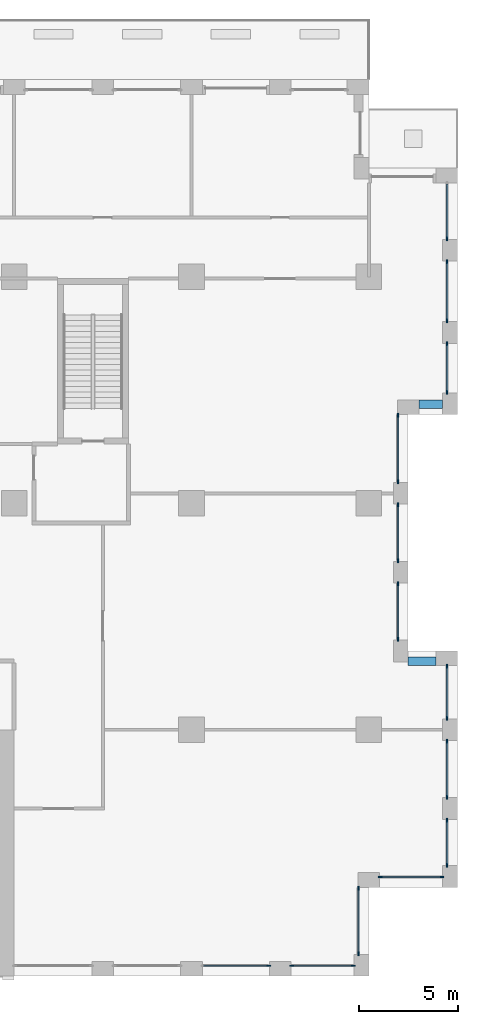
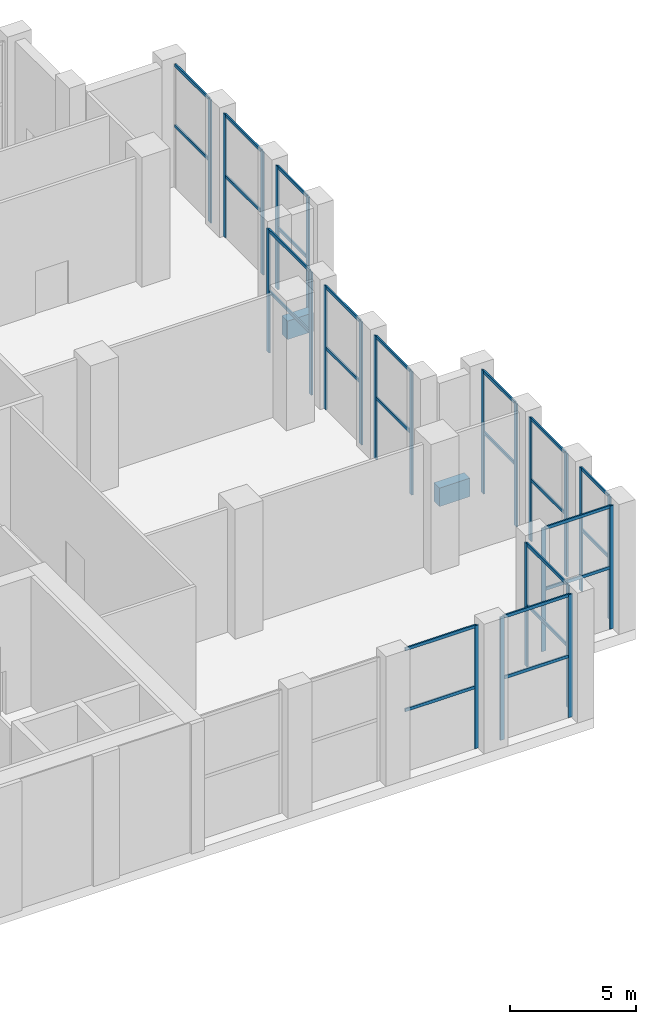
# One storey, part 9 of 21: 50 members, 2 beams, 13 elements without a shape of their own.
"""IFC4 building model written with IfcOpenShell, lengths in metres."""

import ifcopenshell
import ifcopenshell.guid

model = None  # the IFC model being written
_history = None  # IfcOwnerHistory: only IFC2X3 demands one
_inside = {}  # id of a spatial element -> (the spatial element, [elements in it])
_under = {}  # id of a project, library or spatial element -> (it, [spatial elements below it])
_declared = {}  # id of a project -> (the project, [libraries it declares])
_typed = {}  # id of a type object -> (the type object, [elements of that type])
_made_of = {}  # id of a material, layer set ... -> (it, [elements and type objects made of it])


def new_model(schema):
    """Start an empty IFC model of exactly this schema.

    Asked for "IFC4X3", IfcOpenShell would pick the latest addendum, in which some entities
    have other attributes; the version numbers below select the first issue.
    IFC2X3 requires an IfcOwnerHistory on every rooted entity: one is made here for all.
    """
    global model, _history
    if schema == "IFC4X3":
        model = ifcopenshell.file(schema_version=(4, 3, 0, 0))
    else:
        model = ifcopenshell.file(schema=schema)
    _inside.clear()
    _under.clear()
    _declared.clear()
    _typed.clear()
    _made_of.clear()
    _history = None
    if model.schema == "IFC2X3":
        org = make("IfcOrganization", Name="unknown")
        user = make(
            "IfcPersonAndOrganization",
            ThePerson=make("IfcPerson", FamilyName="unknown"),
            TheOrganization=org,
        )
        app = make(
            "IfcApplication",
            ApplicationDeveloper=org,
            Version="unknown",
            ApplicationFullName="unknown",
            ApplicationIdentifier="unknown",
        )
        _history = make(
            "IfcOwnerHistory",
            OwningUser=user,
            OwningApplication=app,
            ChangeAction="ADDED",
            CreationDate=0,
        )
    return model


def make(cls, **values):
    """One entity of the class cls with the attributes given. An attribute that is None is left unset."""
    return model.create_entity(
        cls, **{name: value for name, value in values.items() if value is not None}
    )


def rooted(cls, **values):
    """An entity with a GlobalId (a new one), such as an element, a storey or a relation."""
    return make(cls, GlobalId=ifcopenshell.guid.new(), OwnerHistory=_history, **values)


def si_unit(unit_type, name, prefix=None):
    """IfcSIUnit, for example si_unit("LENGTHUNIT", "METRE", prefix="MILLI")."""
    return make("IfcSIUnit", UnitType=unit_type, Prefix=prefix, Name=name)


def assignment(units):
    """IfcUnitAssignment: the units of a project."""
    return None if units is None else make("IfcUnitAssignment", Units=units)


def point(xyz):
    """IfcCartesianPoint."""
    return None if xyz is None else make("IfcCartesianPoint", Coordinates=xyz)


def direction(xyz):
    """IfcDirection."""
    return None if xyz is None else make("IfcDirection", DirectionRatios=xyz)


def frame(location, z_axis=None, x_axis=None):
    """IfcAxis2Placement3D, a coordinate frame: its origin and axes. An axis left out is left unset."""
    return make(
        "IfcAxis2Placement3D",
        Location=point(location),
        Axis=direction(z_axis),
        RefDirection=direction(x_axis),
    )


def frame_2d(location, x_axis=None):
    """IfcAxis2Placement2D, a coordinate frame in the plane: its origin and x axis."""
    return make(
        "IfcAxis2Placement2D", Location=point(location), RefDirection=direction(x_axis)
    )


def origin():
    """The frame at (0, 0, 0) with its axes left unset."""
    return frame((0.0, 0.0, 0.0))


def origin_2d():
    """The frame at (0, 0) in the plane with its x axis left unset."""
    return frame_2d((0.0, 0.0))


def place(relative_to, where):
    """IfcLocalPlacement: puts the frame where relative to a parent placement (None: the world)."""
    return make(
        "IfcLocalPlacement", PlacementRelTo=relative_to, RelativePlacement=where
    )


def context(
    kind, dimensions, precision=None, world=None, true_north=None, identifier=None
):
    """IfcGeometricRepresentationContext, for example the 3D "Model" context."""
    return make(
        "IfcGeometricRepresentationContext",
        ContextIdentifier=identifier,
        ContextType=kind,
        CoordinateSpaceDimension=dimensions,
        Precision=precision,
        WorldCoordinateSystem=world,
        TrueNorth=true_north,
    )


def subcontext(parent, identifier, kind, view, scale=None):
    """IfcGeometricRepresentationSubContext, for example "Body" below "Model"."""
    return make(
        "IfcGeometricRepresentationSubContext",
        ContextIdentifier=identifier,
        ContextType=kind,
        ParentContext=parent,
        TargetScale=scale,
        TargetView=view,
    )


def project(units=None, contexts=None):
    """IfcProject with its units and contexts."""
    return rooted(
        "IfcProject",
        Name="project",
        RepresentationContexts=contexts,
        UnitsInContext=assignment(units),
    )


def spatial(cls, under=None, at=None, **own):
    """A site, building, storey or space (cls), placed at a placement, below another one or the project."""
    s = rooted(cls, ObjectPlacement=at, **own)
    if under is not None:
        _under.setdefault(under.id(), (under, []))[1].append(s)
    return s


def profile(cls, at=None, kind="AREA", **sizes):
    """A parametric profile (cls). Its sizes go by their IFC names, for example OverallWidth=200.0."""
    return make(cls, ProfileType=kind, Position=at, **sizes)


def rectangle(**sizes):
    """IfcRectangleProfileDef."""
    return profile("IfcRectangleProfileDef", **sizes)


def extrude(swept, where, along, depth):
    """IfcExtrudedAreaSolid: the profile swept, set in the frame where, extruded along a direction by depth."""
    return make(
        "IfcExtrudedAreaSolid",
        SweptArea=swept,
        Position=where,
        ExtrudedDirection=direction(along),
        Depth=depth,
    )


def shape(context_of_items, identifier, shape_type, items):
    """IfcShapeRepresentation: the items that make up one representation, for example the "Body"."""
    return make(
        "IfcShapeRepresentation",
        ContextOfItems=context_of_items,
        RepresentationIdentifier=identifier,
        RepresentationType=shape_type,
        Items=items,
    )


def material(Name=None, Category=None):
    """IfcMaterial."""
    return make("IfcMaterial", Name=Name, Category=Category)


def layer(
    of_material, thickness, ventilated=None, Name=None, Category=None, Priority=None
):
    """IfcMaterialLayer: one layer of a wall or slab, of a material (None: an air gap)."""
    return make(
        "IfcMaterialLayer",
        Material=of_material,
        LayerThickness=thickness,
        IsVentilated=ventilated,
        Name=Name,
        Category=Category,
        Priority=Priority,
    )


def layer_set(layers, Name=None):
    """IfcMaterialLayerSet."""
    return make("IfcMaterialLayerSet", MaterialLayers=layers, LayerSetName=Name)


def material_profile(
    of_material, cross_section, Name=None, Category=None, Priority=None
):
    """IfcMaterialProfile: a cross section and its material."""
    return make(
        "IfcMaterialProfile",
        Name=Name,
        Material=of_material,
        Profile=cross_section,
        Priority=Priority,
        Category=Category,
    )


def profile_set(profiles, Name=None, composite=None):
    """IfcMaterialProfileSet."""
    return make(
        "IfcMaterialProfileSet",
        Name=Name,
        MaterialProfiles=profiles,
        CompositeProfile=composite,
    )


def made_of(thing, what):
    """Note that an element or type object is made of a material, layer set ...; save() writes the relation."""
    if what is not None:
        _made_of.setdefault(what.id(), (what, []))[1].append(thing)
    return thing


def type_object(cls, material=None, **own):
    """A type object (cls), such as IfcWallType, which elements share."""
    return made_of(rooted(cls, **own), material)


def element(
    cls,
    number,
    at=None,
    inside=None,
    cuts=None,
    type_object=None,
    material=None,
    context=None,
    identifier="Body",
    shape_type=None,
    held_by="IfcProductDefinitionShape",
    body=None,
    shapes=None,
    **own,
):
    """One element of the class cls, such as IfcWall. Its Tag is "e" and its number.

    at: its placement. inside: the storey or other place that contains it. cuts: it is an
    opening in that element (IfcRelVoidsElement). A single representation is given by context,
    identifier, shape_type and body (its items); several are given by shapes. held_by: the class
    of the entity that holds the representations. save() writes the other relations.
    """
    e = rooted(cls, Tag="e%d" % number, ObjectPlacement=at, **own)
    if body is not None:
        shapes = [shape(context, identifier, shape_type, body)]
    if shapes is not None:
        e.Representation = make(held_by, Representations=shapes)
    if inside is not None:
        _inside.setdefault(inside.id(), (inside, []))[1].append(e)
    if cuts is not None:
        rooted(
            "IfcRelVoidsElement", RelatingBuildingElement=cuts, RelatedOpeningElement=e
        )
    if type_object is not None:
        _typed.setdefault(type_object.id(), (type_object, []))[1].append(e)
    return made_of(e, material)


def aggregate(whole, parts):
    """IfcRelAggregates: a whole, such as a stair, and the parts it consists of."""
    return rooted("IfcRelAggregates", RelatingObject=whole, RelatedObjects=parts)


def save(model, path):
    """Write the relations noted so far, then the file.

    IfcRelAggregates (storeys below a building ...), IfcRelContainedInSpatialStructure (elements
    in a storey), IfcRelDefinesByType, IfcRelAssociatesMaterial and IfcRelDeclares: one each for
    every whole, place, type object, material and project.
    """
    for whole, parts in _under.values():
        aggregate(whole, parts)
    for where, things in _inside.values():
        rooted(
            "IfcRelContainedInSpatialStructure",
            RelatedElements=things,
            RelatingStructure=where,
        )
    for kind, things in _typed.values():
        rooted("IfcRelDefinesByType", RelatedObjects=things, RelatingType=kind)
    for what, things in _made_of.values():
        rooted("IfcRelAssociatesMaterial", RelatedObjects=things, RelatingMaterial=what)
    for by, libraries in _declared.values():
        rooted("IfcRelDeclares", RelatingContext=by, RelatedDefinitions=libraries)
    model.write(path)


model = new_model("IFC4")

# Units and contexts
model_context = context("Model", 3, precision=1e-05, world=origin(), true_north=direction((0.0, 1.0)))
body_context = subcontext(model_context, "Body", "Model", "MODEL_VIEW")
ifc_project = project(units=[si_unit("LENGTHUNIT", "METRE"), si_unit("AREAUNIT", "SQUARE_METRE"), si_unit("VOLUMEUNIT", "CUBIC_METRE"), si_unit("PLANEANGLEUNIT", "RADIAN"), si_unit("MASSUNIT", "GRAM", prefix="KILO")], contexts=[model_context])

# Site, building, storey
site_placement = place(None, origin())
site = spatial("IfcSite", under=ifc_project, at=site_placement, CompositionType="ELEMENT")
building_placement = place(site_placement, origin())
building = spatial("IfcBuilding", under=site, at=building_placement, Name="Brigalow Station Residences", CompositionType="ELEMENT")
storey_placement = place(building_placement, frame((0.0, 0.0, 77.25)))
storey = spatial("IfcBuildingStorey", under=building, at=storey_placement, Name="L22", CompositionType="ELEMENT", Elevation=77.25)

# Curtain wall, member
ifc_material_1 = material(Name="Aluminium", Category="aluminium")
ifc_layer = layer(ifc_material_1, 0.199951171875)
ifc_layer_set = layer_set([ifc_layer], Name="SKY FLOOR GLAZING CURTAIN WALL")
curtain_wall_type = type_object("IfcCurtainWallType", Name="SKY FLOOR GLAZING CURTAIN WALL", PredefinedType="NOTDEFINED", material=ifc_layer_set)
curtain_wall_1_placement = place(storey_placement, origin())
curtain_wall_1 = element("IfcCurtainWall", 1, at=curtain_wall_1_placement, inside=storey, type_object=curtain_wall_type, Name="L22/cw/W-L22-6", PredefinedType="NOTDEFINED")
ifc_material_2 = material(Name="Aluminium", Category="aluminium")
ifc_material_profile_1 = material_profile(ifc_material_2, rectangle(XDim=0.070068359375, YDim=0.199951171875, at=origin_2d()), Name="SKY FLOOR GLAZING MULLION 70x200")
ifc_profile_set_1 = profile_set([ifc_material_profile_1], Name="Aluminium")
member_type_1 = type_object("IfcMemberType", Name="SKY FLOOR GLAZING MULLION 70x200", PredefinedType="MULLION", material=ifc_profile_set_1)
member_1_placement = place(storey_placement, frame((66.9150390625, 0.52490234375, 0.0), z_axis=(0.0, 0.0, 1.0), x_axis=(0.0, 1.0, 0.0)))
member_1 = element("IfcMember", 2, at=member_1_placement, type_object=member_type_1, Name="L22/cw/W-L22-6/M01", PredefinedType="MULLION", context=body_context, shape_type="SweptSolid", body=[
    extrude(rectangle(XDim=0.070068359375, YDim=0.199951171875, at=origin_2d()), origin(), (0.0, 0.0, 1.0), 5.97998046875),
])

# Curtain wall, members
curtain_wall_2_placement = place(storey_placement, origin())
curtain_wall_2 = element("IfcCurtainWall", 3, at=curtain_wall_2_placement, inside=storey, type_object=curtain_wall_type, Name="L22/cw/W-L22-7", PredefinedType="NOTDEFINED")
member_2_placement = place(storey_placement, frame((68.0849609375, 0.52490234375, 0.0), z_axis=(0.0, 0.0, 1.0), x_axis=(0.0, 1.0, 0.0)))
member_2 = element("IfcMember", 4, at=member_2_placement, type_object=member_type_1, Name="L22/cw/W-L22-7/M00", PredefinedType="MULLION", context=body_context, shape_type="SweptSolid", body=[
    extrude(rectangle(XDim=0.070068359375, YDim=0.199951171875, at=origin_2d()), origin(), (0.0, 0.0, 1.0), 5.97998046875),
])
member_3_placement = place(storey_placement, frame((71.215087890625, 0.52490234375, 0.0), z_axis=(0.0, 0.0, 1.0), x_axis=(0.0, 1.0, 0.0)))
member_3 = element("IfcMember", 5, at=member_3_placement, type_object=member_type_1, Name="L22/cw/W-L22-7/M01", PredefinedType="MULLION", context=body_context, shape_type="SweptSolid", body=[
    extrude(rectangle(XDim=0.070068359375, YDim=0.199951171875, at=origin_2d()), origin(), (0.0, 0.0, 1.0), 5.97998046875),
])

curtain_wall_3_placement = place(storey_placement, origin())
curtain_wall_3 = element("IfcCurtainWall", 6, at=curtain_wall_3_placement, inside=storey, type_object=curtain_wall_type, Name="L22/cw/W-L22-8", PredefinedType="NOTDEFINED")
member_4_placement = place(storey_placement, frame((71.47509765625, 1.135009765625, 0.0), z_axis=(0.0, 0.0, 1.0), x_axis=(-1.0, 0.0, 0.0)))
member_4 = element("IfcMember", 7, at=member_4_placement, type_object=member_type_1, Name="L22/cw/W-L22-8/M00", PredefinedType="MULLION", context=body_context, shape_type="SweptSolid", body=[
    extrude(rectangle(XDim=0.070068359375, YDim=0.199951171875, at=origin_2d()), origin(), (0.0, 0.0, 1.0), 5.97998046875),
])
member_5_placement = place(storey_placement, frame((71.47509765625, 4.465087890625, 0.0), z_axis=(0.0, 0.0, 1.0), x_axis=(-1.0, 0.0, 0.0)))
member_5 = element("IfcMember", 8, at=member_5_placement, type_object=member_type_1, Name="L22/cw/W-L22-8/M01", PredefinedType="MULLION", context=body_context, shape_type="SweptSolid", body=[
    extrude(rectangle(XDim=0.070068359375, YDim=0.199951171875, at=origin_2d()), origin(), (0.0, 0.0, 1.0), 5.97998046875),
])

curtain_wall_4_placement = place(storey_placement, origin())
curtain_wall_4 = element("IfcCurtainWall", 9, at=curtain_wall_4_placement, inside=storey, type_object=curtain_wall_type, Name="L22/cw/W-L22-9", PredefinedType="NOTDEFINED")
member_6_placement = place(storey_placement, frame((72.5849609375, 5.02490234375, 0.0), z_axis=(0.0, 0.0, 1.0), x_axis=(0.0, 1.0, 0.0)))
member_6 = element("IfcMember", 10, at=member_6_placement, type_object=member_type_1, Name="L22/cw/W-L22-9/M00", PredefinedType="MULLION", context=body_context, shape_type="SweptSolid", body=[
    extrude(rectangle(XDim=0.070068359375, YDim=0.199951171875, at=origin_2d()), origin(), (0.0, 0.0, 1.0), 5.97998046875),
])
member_7_placement = place(storey_placement, frame((75.715087890625, 5.02490234375, 0.0), z_axis=(0.0, 0.0, 1.0), x_axis=(0.0, 1.0, 0.0)))
member_7 = element("IfcMember", 11, at=member_7_placement, type_object=member_type_1, Name="L22/cw/W-L22-9/M01", PredefinedType="MULLION", context=body_context, shape_type="SweptSolid", body=[
    extrude(rectangle(XDim=0.070068359375, YDim=0.199951171875, at=origin_2d()), origin(), (0.0, 0.0, 1.0), 5.97998046875),
])

curtain_wall_5_placement = place(storey_placement, origin())
curtain_wall_5 = element("IfcCurtainWall", 12, at=curtain_wall_5_placement, inside=storey, type_object=curtain_wall_type, Name="L22/cw/W-L22-10", PredefinedType="NOTDEFINED")
member_8_placement = place(storey_placement, frame((75.97509765625, 5.635009765625, 0.0), z_axis=(0.0, 0.0, 1.0), x_axis=(-1.0, 0.0, 0.0)))
member_8 = element("IfcMember", 13, at=member_8_placement, type_object=member_type_1, Name="L22/cw/W-L22-10/M00", PredefinedType="MULLION", context=body_context, shape_type="SweptSolid", body=[
    extrude(rectangle(XDim=0.070068359375, YDim=0.199951171875, at=origin_2d()), origin(), (0.0, 0.0, 1.0), 5.97998046875),
])
member_9_placement = place(storey_placement, frame((75.97509765625, 7.9150390625, 0.0), z_axis=(0.0, 0.0, 1.0), x_axis=(-1.0, 0.0, 0.0)))
member_9 = element("IfcMember", 14, at=member_9_placement, type_object=member_type_1, Name="L22/cw/W-L22-10/M01", PredefinedType="MULLION", context=body_context, shape_type="SweptSolid", body=[
    extrude(rectangle(XDim=0.070068359375, YDim=0.199951171875, at=origin_2d()), origin(), (0.0, 0.0, 1.0), 5.97998046875),
])

curtain_wall_6_placement = place(storey_placement, origin())
curtain_wall_6 = element("IfcCurtainWall", 15, at=curtain_wall_6_placement, inside=storey, type_object=curtain_wall_type, Name="L22/cw/W-L22-11", PredefinedType="NOTDEFINED")
member_10_placement = place(storey_placement, frame((75.97509765625, 9.0849609375, 0.0), z_axis=(0.0, 0.0, 1.0), x_axis=(-1.0, 0.0, 0.0)))
member_10 = element("IfcMember", 16, at=member_10_placement, type_object=member_type_1, Name="L22/cw/W-L22-11/M00", PredefinedType="MULLION", context=body_context, shape_type="SweptSolid", body=[
    extrude(rectangle(XDim=0.070068359375, YDim=0.199951171875, at=origin_2d()), origin(), (0.0, 0.0, 1.0), 5.97998046875),
])
member_11_placement = place(storey_placement, frame((75.97509765625, 11.9150390625, 0.0), z_axis=(0.0, 0.0, 1.0), x_axis=(-1.0, 0.0, 0.0)))
member_11 = element("IfcMember", 17, at=member_11_placement, type_object=member_type_1, Name="L22/cw/W-L22-11/M01", PredefinedType="MULLION", context=body_context, shape_type="SweptSolid", body=[
    extrude(rectangle(XDim=0.070068359375, YDim=0.199951171875, at=origin_2d()), origin(), (0.0, 0.0, 1.0), 5.97998046875),
])

curtain_wall_7_placement = place(storey_placement, origin())
curtain_wall_7 = element("IfcCurtainWall", 18, at=curtain_wall_7_placement, inside=storey, type_object=curtain_wall_type, Name="L22/cw/W-L22-12", PredefinedType="NOTDEFINED")
member_12_placement = place(storey_placement, frame((75.97509765625, 13.0849609375, 0.0), z_axis=(0.0, 0.0, 1.0), x_axis=(-1.0, 0.0, 0.0)))
member_12 = element("IfcMember", 19, at=member_12_placement, type_object=member_type_1, Name="L22/cw/W-L22-12/M00", PredefinedType="MULLION", context=body_context, shape_type="SweptSolid", body=[
    extrude(rectangle(XDim=0.070068359375, YDim=0.199951171875, at=origin_2d()), origin(), (0.0, 0.0, 1.0), 5.97998046875),
])
member_13_placement = place(storey_placement, frame((75.97509765625, 15.715087890625, 0.0), z_axis=(0.0, 0.0, 1.0), x_axis=(-1.0, 0.0, 0.0)))
member_13 = element("IfcMember", 20, at=member_13_placement, type_object=member_type_1, Name="L22/cw/W-L22-12/M01", PredefinedType="MULLION", context=body_context, shape_type="SweptSolid", body=[
    extrude(rectangle(XDim=0.070068359375, YDim=0.199951171875, at=origin_2d()), origin(), (0.0, 0.0, 1.0), 5.97998046875),
])

curtain_wall_8_placement = place(storey_placement, origin())
curtain_wall_8 = element("IfcCurtainWall", 21, at=curtain_wall_8_placement, inside=storey, type_object=curtain_wall_type, Name="L22/cw/W-L22-14", PredefinedType="NOTDEFINED")
member_14_placement = place(storey_placement, frame((73.47509765625, 17.0849609375, 0.0), z_axis=(0.0, 0.0, 1.0), x_axis=(-1.0, 0.0, 0.0)))
member_14 = element("IfcMember", 22, at=member_14_placement, type_object=member_type_1, Name="L22/cw/W-L22-14/M00", PredefinedType="MULLION", context=body_context, shape_type="SweptSolid", body=[
    extrude(rectangle(XDim=0.070068359375, YDim=0.199951171875, at=origin_2d()), origin(), (0.0, 0.0, 1.0), 5.97998046875),
])
member_15_placement = place(storey_placement, frame((73.47509765625, 19.9150390625, 0.0), z_axis=(0.0, 0.0, 1.0), x_axis=(-1.0, 0.0, 0.0)))
member_15 = element("IfcMember", 23, at=member_15_placement, type_object=member_type_1, Name="L22/cw/W-L22-14/M01", PredefinedType="MULLION", context=body_context, shape_type="SweptSolid", body=[
    extrude(rectangle(XDim=0.070068359375, YDim=0.199951171875, at=origin_2d()), origin(), (0.0, 0.0, 1.0), 5.97998046875),
])

curtain_wall_9_placement = place(storey_placement, origin())
curtain_wall_9 = element("IfcCurtainWall", 24, at=curtain_wall_9_placement, inside=storey, type_object=curtain_wall_type, Name="L22/cw/W-L22-15", PredefinedType="NOTDEFINED")
member_16_placement = place(storey_placement, frame((73.47509765625, 21.0849609375, 0.0), z_axis=(0.0, 0.0, 1.0), x_axis=(-1.0, 0.0, 0.0)))
member_16 = element("IfcMember", 25, at=member_16_placement, type_object=member_type_1, Name="L22/cw/W-L22-15/M00", PredefinedType="MULLION", context=body_context, shape_type="SweptSolid", body=[
    extrude(rectangle(XDim=0.070068359375, YDim=0.199951171875, at=origin_2d()), origin(), (0.0, 0.0, 1.0), 5.97998046875),
])
member_17_placement = place(storey_placement, frame((73.47509765625, 23.9150390625, 0.0), z_axis=(0.0, 0.0, 1.0), x_axis=(-1.0, 0.0, 0.0)))
member_17 = element("IfcMember", 26, at=member_17_placement, type_object=member_type_1, Name="L22/cw/W-L22-15/M01", PredefinedType="MULLION", context=body_context, shape_type="SweptSolid", body=[
    extrude(rectangle(XDim=0.070068359375, YDim=0.199951171875, at=origin_2d()), origin(), (0.0, 0.0, 1.0), 5.97998046875),
])

curtain_wall_10_placement = place(storey_placement, origin())
curtain_wall_10 = element("IfcCurtainWall", 27, at=curtain_wall_10_placement, inside=storey, type_object=curtain_wall_type, Name="L22/cw/W-L22-16", PredefinedType="NOTDEFINED")
member_18_placement = place(storey_placement, frame((73.47509765625, 25.0849609375, 0.0), z_axis=(0.0, 0.0, 1.0), x_axis=(-1.0, 0.0, 0.0)))
member_18 = element("IfcMember", 28, at=member_18_placement, type_object=member_type_1, Name="L22/cw/W-L22-16/M00", PredefinedType="MULLION", context=body_context, shape_type="SweptSolid", body=[
    extrude(rectangle(XDim=0.070068359375, YDim=0.199951171875, at=origin_2d()), origin(), (0.0, 0.0, 1.0), 5.97998046875),
])
member_19_placement = place(storey_placement, frame((73.47509765625, 28.465087890625, 0.0), z_axis=(0.0, 0.0, 1.0), x_axis=(-1.0, 0.0, 0.0)))
member_19 = element("IfcMember", 29, at=member_19_placement, type_object=member_type_1, Name="L22/cw/W-L22-16/M01", PredefinedType="MULLION", context=body_context, shape_type="SweptSolid", body=[
    extrude(rectangle(XDim=0.070068359375, YDim=0.199951171875, at=origin_2d()), origin(), (0.0, 0.0, 1.0), 5.97998046875),
])

curtain_wall_11_placement = place(storey_placement, origin())
curtain_wall_11 = element("IfcCurtainWall", 30, at=curtain_wall_11_placement, inside=storey, type_object=curtain_wall_type, Name="L22/cw/W-L22-18", PredefinedType="NOTDEFINED")
member_20_placement = place(storey_placement, frame((75.97509765625, 29.635009765625, 0.0), z_axis=(0.0, 0.0, 1.0), x_axis=(-1.0, 0.0, 0.0)))
member_20 = element("IfcMember", 31, at=member_20_placement, type_object=member_type_1, Name="L22/cw/W-L22-18/M00", PredefinedType="MULLION", context=body_context, shape_type="SweptSolid", body=[
    extrude(rectangle(XDim=0.070068359375, YDim=0.199951171875, at=origin_2d()), origin(), (0.0, 0.0, 1.0), 5.97998046875),
])
member_21_placement = place(storey_placement, frame((75.97509765625, 32.08203125, 0.0), z_axis=(0.0, 0.0, 1.0), x_axis=(-1.0, 0.0, 0.0)))
member_21 = element("IfcMember", 32, at=member_21_placement, type_object=member_type_1, Name="L22/cw/W-L22-18/M01", PredefinedType="MULLION", context=body_context, shape_type="SweptSolid", body=[
    extrude(rectangle(XDim=0.070068359375, YDim=0.199951171875, at=origin_2d()), origin(), (0.0, 0.0, 1.0), 5.97998046875),
])

curtain_wall_12_placement = place(storey_placement, origin())
curtain_wall_12 = element("IfcCurtainWall", 33, at=curtain_wall_12_placement, inside=storey, type_object=curtain_wall_type, Name="L22/cw/W-L22-19", PredefinedType="NOTDEFINED")
member_22_placement = place(storey_placement, frame((75.97509765625, 33.251953125, 0.0), z_axis=(0.0, 0.0, 1.0), x_axis=(-1.0, 0.0, 0.0)))
member_22 = element("IfcMember", 34, at=member_22_placement, type_object=member_type_1, Name="L22/cw/W-L22-19/M00", PredefinedType="MULLION", context=body_context, shape_type="SweptSolid", body=[
    extrude(rectangle(XDim=0.070068359375, YDim=0.199951171875, at=origin_2d()), origin(), (0.0, 0.0, 1.0), 5.97998046875),
])
member_23_placement = place(storey_placement, frame((75.97509765625, 36.248046875, 0.0), z_axis=(0.0, 0.0, 1.0), x_axis=(-1.0, 0.0, 0.0)))
member_23 = element("IfcMember", 35, at=member_23_placement, type_object=member_type_1, Name="L22/cw/W-L22-19/M01", PredefinedType="MULLION", context=body_context, shape_type="SweptSolid", body=[
    extrude(rectangle(XDim=0.070068359375, YDim=0.199951171875, at=origin_2d()), origin(), (0.0, 0.0, 1.0), 5.97998046875),
])

# Curtain wall, member
curtain_wall_13_placement = place(storey_placement, origin())
curtain_wall_13 = element("IfcCurtainWall", 36, at=curtain_wall_13_placement, inside=storey, type_object=curtain_wall_type, Name="L22/cw/W-L22-20", PredefinedType="NOTDEFINED")
member_24_placement = place(storey_placement, frame((75.97509765625, 37.41796875, 0.0), z_axis=(0.0, 0.0, 1.0), x_axis=(-1.0, 0.0, 0.0)))
member_24 = element("IfcMember", 37, at=member_24_placement, type_object=member_type_1, Name="L22/cw/W-L22-20/M00", PredefinedType="MULLION", context=body_context, shape_type="SweptSolid", body=[
    extrude(rectangle(XDim=0.070068359375, YDim=0.199951171875, at=origin_2d()), origin(), (0.0, 0.0, 1.0), 5.97998046875),
])

# Member
ifc_material_3 = material(Name="Aluminium", Category="aluminium")
ifc_material_profile_2 = material_profile(ifc_material_3, rectangle(XDim=0.070068359375, YDim=0.14990234375, at=origin_2d()), Name="SKY FLOOR GLAZING TRANSOM 70x150")
ifc_profile_set_2 = profile_set([ifc_material_profile_2], Name="Aluminium")
member_type_2 = type_object("IfcMemberType", Name="SKY FLOOR GLAZING TRANSOM 70x150", PredefinedType="USERDEFINED", material=ifc_profile_set_2)
member_25_placement = place(storey_placement, frame((63.6201171875, 0.52490234375, 2.989990234375), z_axis=(1.0, 0.0, 0.0), x_axis=(0.0, 1.0, 0.0)))
member_25 = element("IfcMember", 38, at=member_25_placement, type_object=member_type_2, Name="L22/cw/W-L22-6/T00-00", ObjectType="TRANSOM", PredefinedType="USERDEFINED", context=body_context, shape_type="SweptSolid", body=[
    extrude(rectangle(XDim=0.070068359375, YDim=0.14990234375, at=origin_2d()), origin(), (0.0, 0.0, 1.0), 3.259765625),
])

member_26_placement = place(storey_placement, frame((63.6201171875, 0.52490234375, 5.945068359375), z_axis=(1.0, 0.0, 0.0), x_axis=(0.0, 1.0, 0.0)))
member_26 = element("IfcMember", 39, at=member_26_placement, type_object=member_type_2, Name="L22/cw/W-L22-6/T00-01", ObjectType="TRANSOM", PredefinedType="USERDEFINED", context=body_context, shape_type="SweptSolid", body=[
    extrude(rectangle(XDim=0.070068359375, YDim=0.14990234375, at=origin_2d()), origin(), (0.0, 0.0, 1.0), 3.259765625),
])

aggregate(curtain_wall_1, [member_1, member_25, member_26])

member_27_placement = place(storey_placement, frame((68.1201171875, 0.52490234375, 2.989990234375), z_axis=(1.0, 0.0, 0.0), x_axis=(0.0, 1.0, 0.0)))
member_27 = element("IfcMember", 40, at=member_27_placement, type_object=member_type_2, Name="L22/cw/W-L22-7/T00-00", ObjectType="TRANSOM", PredefinedType="USERDEFINED", context=body_context, shape_type="SweptSolid", body=[
    extrude(rectangle(XDim=0.070068359375, YDim=0.14990234375, at=origin_2d()), origin(), (0.0, 0.0, 1.0), 3.059814453125),
])

member_28_placement = place(storey_placement, frame((68.1201171875, 0.52490234375, 5.945068359375), z_axis=(1.0, 0.0, 0.0), x_axis=(0.0, 1.0, 0.0)))
member_28 = element("IfcMember", 41, at=member_28_placement, type_object=member_type_2, Name="L22/cw/W-L22-7/T00-01", ObjectType="TRANSOM", PredefinedType="USERDEFINED", context=body_context, shape_type="SweptSolid", body=[
    extrude(rectangle(XDim=0.070068359375, YDim=0.14990234375, at=origin_2d()), origin(), (0.0, 0.0, 1.0), 3.059814453125),
])

aggregate(curtain_wall_2, [member_2, member_3, member_27, member_28])

member_29_placement = place(storey_placement, frame((71.47509765625, 1.169921875, 2.989990234375), z_axis=(0.0, 1.0, 0.0), x_axis=(-1.0, 0.0, 0.0)))
member_29 = element("IfcMember", 42, at=member_29_placement, type_object=member_type_2, Name="L22/cw/W-L22-8/T00-00", ObjectType="TRANSOM", PredefinedType="USERDEFINED", context=body_context, shape_type="SweptSolid", body=[
    extrude(rectangle(XDim=0.070068359375, YDim=0.14990234375, at=origin_2d()), origin(), (0.0, 0.0, 1.0), 3.260009765625),
])

member_30_placement = place(storey_placement, frame((71.47509765625, 1.169921875, 5.945068359375), z_axis=(0.0, 1.0, 0.0), x_axis=(-1.0, 0.0, 0.0)))
member_30 = element("IfcMember", 43, at=member_30_placement, type_object=member_type_2, Name="L22/cw/W-L22-8/T00-01", ObjectType="TRANSOM", PredefinedType="USERDEFINED", context=body_context, shape_type="SweptSolid", body=[
    extrude(rectangle(XDim=0.070068359375, YDim=0.14990234375, at=origin_2d()), origin(), (0.0, 0.0, 1.0), 3.260009765625),
])

aggregate(curtain_wall_3, [member_4, member_5, member_29, member_30])

member_31_placement = place(storey_placement, frame((72.6201171875, 5.02490234375, 2.989990234375), z_axis=(1.0, 0.0, 0.0), x_axis=(0.0, 1.0, 0.0)))
member_31 = element("IfcMember", 44, at=member_31_placement, type_object=member_type_2, Name="L22/cw/W-L22-9/T00-00", ObjectType="TRANSOM", PredefinedType="USERDEFINED", context=body_context, shape_type="SweptSolid", body=[
    extrude(rectangle(XDim=0.070068359375, YDim=0.14990234375, at=origin_2d()), origin(), (0.0, 0.0, 1.0), 3.059814453125),
])

member_32_placement = place(storey_placement, frame((72.6201171875, 5.02490234375, 5.945068359375), z_axis=(1.0, 0.0, 0.0), x_axis=(0.0, 1.0, 0.0)))
member_32 = element("IfcMember", 45, at=member_32_placement, type_object=member_type_2, Name="L22/cw/W-L22-9/T00-01", ObjectType="TRANSOM", PredefinedType="USERDEFINED", context=body_context, shape_type="SweptSolid", body=[
    extrude(rectangle(XDim=0.070068359375, YDim=0.14990234375, at=origin_2d()), origin(), (0.0, 0.0, 1.0), 3.059814453125),
])

aggregate(curtain_wall_4, [member_6, member_7, member_31, member_32])

member_33_placement = place(storey_placement, frame((75.97509765625, 5.669921875, 2.989990234375), z_axis=(0.0, 1.0, 0.0), x_axis=(-1.0, 0.0, 0.0)))
member_33 = element("IfcMember", 46, at=member_33_placement, type_object=member_type_2, Name="L22/cw/W-L22-10/T00-00", ObjectType="TRANSOM", PredefinedType="USERDEFINED", context=body_context, shape_type="SweptSolid", body=[
    extrude(rectangle(XDim=0.070068359375, YDim=0.14990234375, at=origin_2d()), origin(), (0.0, 0.0, 1.0), 2.2099609375),
])

member_34_placement = place(storey_placement, frame((75.97509765625, 5.669921875, 5.945068359375), z_axis=(0.0, 1.0, 0.0), x_axis=(-1.0, 0.0, 0.0)))
member_34 = element("IfcMember", 47, at=member_34_placement, type_object=member_type_2, Name="L22/cw/W-L22-10/T00-01", ObjectType="TRANSOM", PredefinedType="USERDEFINED", context=body_context, shape_type="SweptSolid", body=[
    extrude(rectangle(XDim=0.070068359375, YDim=0.14990234375, at=origin_2d()), origin(), (0.0, 0.0, 1.0), 2.2099609375),
])

aggregate(curtain_wall_5, [member_8, member_9, member_33, member_34])

member_35_placement = place(storey_placement, frame((75.97509765625, 9.1201171875, 2.989990234375), z_axis=(0.0, 1.0, 0.0), x_axis=(-1.0, 0.0, 0.0)))
member_35 = element("IfcMember", 48, at=member_35_placement, type_object=member_type_2, Name="L22/cw/W-L22-11/T00-00", ObjectType="TRANSOM", PredefinedType="USERDEFINED", context=body_context, shape_type="SweptSolid", body=[
    extrude(rectangle(XDim=0.070068359375, YDim=0.14990234375, at=origin_2d()), origin(), (0.0, 0.0, 1.0), 2.759765625),
])

member_36_placement = place(storey_placement, frame((75.97509765625, 9.1201171875, 5.945068359375), z_axis=(0.0, 1.0, 0.0), x_axis=(-1.0, 0.0, 0.0)))
member_36 = element("IfcMember", 49, at=member_36_placement, type_object=member_type_2, Name="L22/cw/W-L22-11/T00-01", ObjectType="TRANSOM", PredefinedType="USERDEFINED", context=body_context, shape_type="SweptSolid", body=[
    extrude(rectangle(XDim=0.070068359375, YDim=0.14990234375, at=origin_2d()), origin(), (0.0, 0.0, 1.0), 2.759765625),
])

aggregate(curtain_wall_6, [member_10, member_11, member_35, member_36])

member_37_placement = place(storey_placement, frame((75.97509765625, 13.1201171875, 2.989990234375), z_axis=(0.0, 1.0, 0.0), x_axis=(-1.0, 0.0, 0.0)))
member_37 = element("IfcMember", 50, at=member_37_placement, type_object=member_type_2, Name="L22/cw/W-L22-12/T00-00", ObjectType="TRANSOM", PredefinedType="USERDEFINED", context=body_context, shape_type="SweptSolid", body=[
    extrude(rectangle(XDim=0.070068359375, YDim=0.14990234375, at=origin_2d()), origin(), (0.0, 0.0, 1.0), 2.559814453125),
])

member_38_placement = place(storey_placement, frame((75.97509765625, 13.1201171875, 5.945068359375), z_axis=(0.0, 1.0, 0.0), x_axis=(-1.0, 0.0, 0.0)))
member_38 = element("IfcMember", 51, at=member_38_placement, type_object=member_type_2, Name="L22/cw/W-L22-12/T00-01", ObjectType="TRANSOM", PredefinedType="USERDEFINED", context=body_context, shape_type="SweptSolid", body=[
    extrude(rectangle(XDim=0.070068359375, YDim=0.14990234375, at=origin_2d()), origin(), (0.0, 0.0, 1.0), 2.559814453125),
])

aggregate(curtain_wall_7, [member_12, member_13, member_37, member_38])

member_39_placement = place(storey_placement, frame((73.47509765625, 17.1201171875, 2.989990234375), z_axis=(0.0, 1.0, 0.0), x_axis=(-1.0, 0.0, 0.0)))
member_39 = element("IfcMember", 52, at=member_39_placement, type_object=member_type_2, Name="L22/cw/W-L22-14/T00-00", ObjectType="TRANSOM", PredefinedType="USERDEFINED", context=body_context, shape_type="SweptSolid", body=[
    extrude(rectangle(XDim=0.070068359375, YDim=0.14990234375, at=origin_2d()), origin(), (0.0, 0.0, 1.0), 2.759765625),
])

member_40_placement = place(storey_placement, frame((73.47509765625, 17.1201171875, 5.945068359375), z_axis=(0.0, 1.0, 0.0), x_axis=(-1.0, 0.0, 0.0)))
member_40 = element("IfcMember", 53, at=member_40_placement, type_object=member_type_2, Name="L22/cw/W-L22-14/T00-01", ObjectType="TRANSOM", PredefinedType="USERDEFINED", context=body_context, shape_type="SweptSolid", body=[
    extrude(rectangle(XDim=0.070068359375, YDim=0.14990234375, at=origin_2d()), origin(), (0.0, 0.0, 1.0), 2.759765625),
])

aggregate(curtain_wall_8, [member_14, member_15, member_39, member_40])

member_41_placement = place(storey_placement, frame((73.47509765625, 21.1201171875, 2.989990234375), z_axis=(0.0, 1.0, 0.0), x_axis=(-1.0, 0.0, 0.0)))
member_41 = element("IfcMember", 54, at=member_41_placement, type_object=member_type_2, Name="L22/cw/W-L22-15/T00-00", ObjectType="TRANSOM", PredefinedType="USERDEFINED", context=body_context, shape_type="SweptSolid", body=[
    extrude(rectangle(XDim=0.070068359375, YDim=0.14990234375, at=origin_2d()), origin(), (0.0, 0.0, 1.0), 2.759765625),
])

member_42_placement = place(storey_placement, frame((73.47509765625, 21.1201171875, 5.945068359375), z_axis=(0.0, 1.0, 0.0), x_axis=(-1.0, 0.0, 0.0)))
member_42 = element("IfcMember", 55, at=member_42_placement, type_object=member_type_2, Name="L22/cw/W-L22-15/T00-01", ObjectType="TRANSOM", PredefinedType="USERDEFINED", context=body_context, shape_type="SweptSolid", body=[
    extrude(rectangle(XDim=0.070068359375, YDim=0.14990234375, at=origin_2d()), origin(), (0.0, 0.0, 1.0), 2.759765625),
])

aggregate(curtain_wall_9, [member_16, member_17, member_41, member_42])

member_43_placement = place(storey_placement, frame((73.47509765625, 25.1201171875, 2.989990234375), z_axis=(0.0, 1.0, 0.0), x_axis=(-1.0, 0.0, 0.0)))
member_43 = element("IfcMember", 56, at=member_43_placement, type_object=member_type_2, Name="L22/cw/W-L22-16/T00-00", ObjectType="TRANSOM", PredefinedType="USERDEFINED", context=body_context, shape_type="SweptSolid", body=[
    extrude(rectangle(XDim=0.070068359375, YDim=0.14990234375, at=origin_2d()), origin(), (0.0, 0.0, 1.0), 3.309814453125),
])

member_44_placement = place(storey_placement, frame((73.47509765625, 25.1201171875, 5.945068359375), z_axis=(0.0, 1.0, 0.0), x_axis=(-1.0, 0.0, 0.0)))
member_44 = element("IfcMember", 57, at=member_44_placement, type_object=member_type_2, Name="L22/cw/W-L22-16/T00-01", ObjectType="TRANSOM", PredefinedType="USERDEFINED", context=body_context, shape_type="SweptSolid", body=[
    extrude(rectangle(XDim=0.070068359375, YDim=0.14990234375, at=origin_2d()), origin(), (0.0, 0.0, 1.0), 3.309814453125),
])

aggregate(curtain_wall_10, [member_18, member_19, member_43, member_44])

member_45_placement = place(storey_placement, frame((75.97509765625, 29.669921875, 2.989990234375), z_axis=(0.0, 1.0, 0.0), x_axis=(-1.0, 0.0, 0.0)))
member_45 = element("IfcMember", 58, at=member_45_placement, type_object=member_type_2, Name="L22/cw/W-L22-18/T00-00", ObjectType="TRANSOM", PredefinedType="USERDEFINED", context=body_context, shape_type="SweptSolid", body=[
    extrude(rectangle(XDim=0.070068359375, YDim=0.14990234375, at=origin_2d()), origin(), (0.0, 0.0, 1.0), 2.377197265625),
])

member_46_placement = place(storey_placement, frame((75.97509765625, 29.669921875, 5.945068359375), z_axis=(0.0, 1.0, 0.0), x_axis=(-1.0, 0.0, 0.0)))
member_46 = element("IfcMember", 59, at=member_46_placement, type_object=member_type_2, Name="L22/cw/W-L22-18/T00-01", ObjectType="TRANSOM", PredefinedType="USERDEFINED", context=body_context, shape_type="SweptSolid", body=[
    extrude(rectangle(XDim=0.070068359375, YDim=0.14990234375, at=origin_2d()), origin(), (0.0, 0.0, 1.0), 2.377197265625),
])

aggregate(curtain_wall_11, [member_20, member_21, member_45, member_46])

member_47_placement = place(storey_placement, frame((75.97509765625, 33.287109375, 2.989990234375), z_axis=(0.0, 1.0, 0.0), x_axis=(-1.0, 0.0, 0.0)))
member_47 = element("IfcMember", 60, at=member_47_placement, type_object=member_type_2, Name="L22/cw/W-L22-19/T00-00", ObjectType="TRANSOM", PredefinedType="USERDEFINED", context=body_context, shape_type="SweptSolid", body=[
    extrude(rectangle(XDim=0.070068359375, YDim=0.14990234375, at=origin_2d()), origin(), (0.0, 0.0, 1.0), 2.92578125),
])

member_48_placement = place(storey_placement, frame((75.97509765625, 33.287109375, 5.945068359375), z_axis=(0.0, 1.0, 0.0), x_axis=(-1.0, 0.0, 0.0)))
member_48 = element("IfcMember", 61, at=member_48_placement, type_object=member_type_2, Name="L22/cw/W-L22-19/T00-01", ObjectType="TRANSOM", PredefinedType="USERDEFINED", context=body_context, shape_type="SweptSolid", body=[
    extrude(rectangle(XDim=0.070068359375, YDim=0.14990234375, at=origin_2d()), origin(), (0.0, 0.0, 1.0), 2.92578125),
])

aggregate(curtain_wall_12, [member_22, member_23, member_47, member_48])

member_49_placement = place(storey_placement, frame((75.97509765625, 37.452880859375, 2.989990234375), z_axis=(0.0, 1.0, 0.0), x_axis=(-1.0, 0.0, 0.0)))
member_49 = element("IfcMember", 62, at=member_49_placement, type_object=member_type_2, Name="L22/cw/W-L22-20/T00-00", ObjectType="TRANSOM", PredefinedType="USERDEFINED", context=body_context, shape_type="SweptSolid", body=[
    extrude(rectangle(XDim=0.070068359375, YDim=0.14990234375, at=origin_2d()), origin(), (0.0, 0.0, 1.0), 2.72705078125),
])

member_50_placement = place(storey_placement, frame((75.97509765625, 37.452880859375, 5.945068359375), z_axis=(0.0, 1.0, 0.0), x_axis=(-1.0, 0.0, 0.0)))
member_50 = element("IfcMember", 63, at=member_50_placement, type_object=member_type_2, Name="L22/cw/W-L22-20/T00-01", ObjectType="TRANSOM", PredefinedType="USERDEFINED", context=body_context, shape_type="SweptSolid", body=[
    extrude(rectangle(XDim=0.070068359375, YDim=0.14990234375, at=origin_2d()), origin(), (0.0, 0.0, 1.0), 2.72705078125),
])

aggregate(curtain_wall_13, [member_24, member_49, member_50])

# Beams
ifc_material_4 = material(Name="Concrete C65", Category="concrete")
ifc_material_profile_3 = material_profile(ifc_material_4, rectangle(XDim=0.449951171875, YDim=0.89990234375, at=origin_2d()), Name="RC450x900")
ifc_profile_set_3 = profile_set([ifc_material_profile_3], Name="Concrete C65")
beam_type = type_object("IfcBeamType", Name="SPANDREL BEAM 450x900 C65", PredefinedType="SPANDREL", material=ifc_profile_set_3)
beam_1_placement = place(storey_placement, frame((75.39990234375, 15.97509765625, 0.449951171875), z_axis=(-1.0, 0.0, 0.0), x_axis=(0.0, -1.0, 0.0)))
element("IfcBeam", 64, at=beam_1_placement, inside=storey, type_object=beam_type, Name="L22/spandrel/W-L22-13", PredefinedType="SPANDREL", context=body_context, shape_type="SweptSolid", body=[
    extrude(rectangle(XDim=0.449951171875, YDim=0.89990234375, at=origin_2d()), origin(), (0.0, 0.0, 1.0), 1.39990234375),
])
beam_2_placement = place(storey_placement, frame((74.550048828125, 29.02490234375, 0.449951171875), z_axis=(1.0, 0.0, 0.0), x_axis=(0.0, 1.0, 0.0)))
element("IfcBeam", 65, at=beam_2_placement, inside=storey, type_object=beam_type, Name="L22/spandrel/W-L22-17", PredefinedType="SPANDREL", context=body_context, shape_type="SweptSolid", body=[
    extrude(rectangle(XDim=0.449951171875, YDim=0.89990234375, at=origin_2d()), origin(), (0.0, 0.0, 1.0), 1.199951171875),
])

save(model, "model.ifc")
